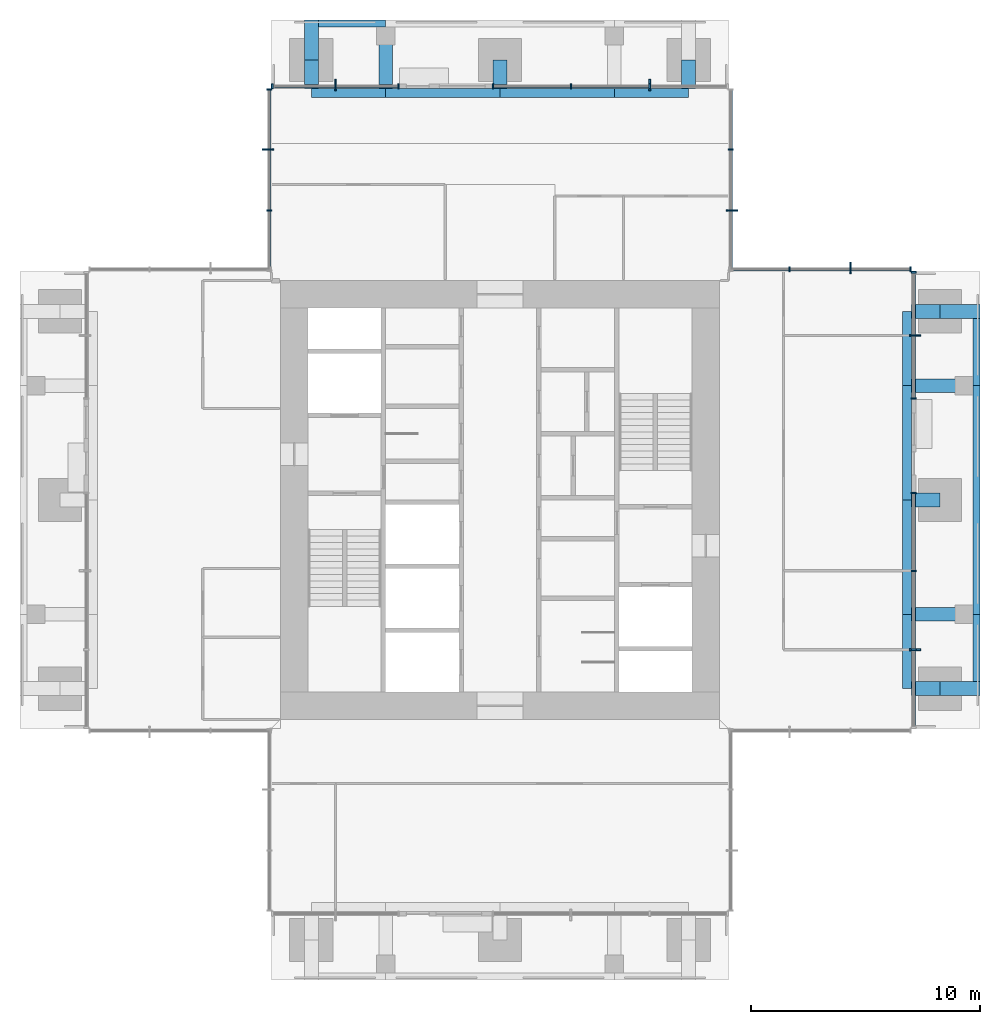
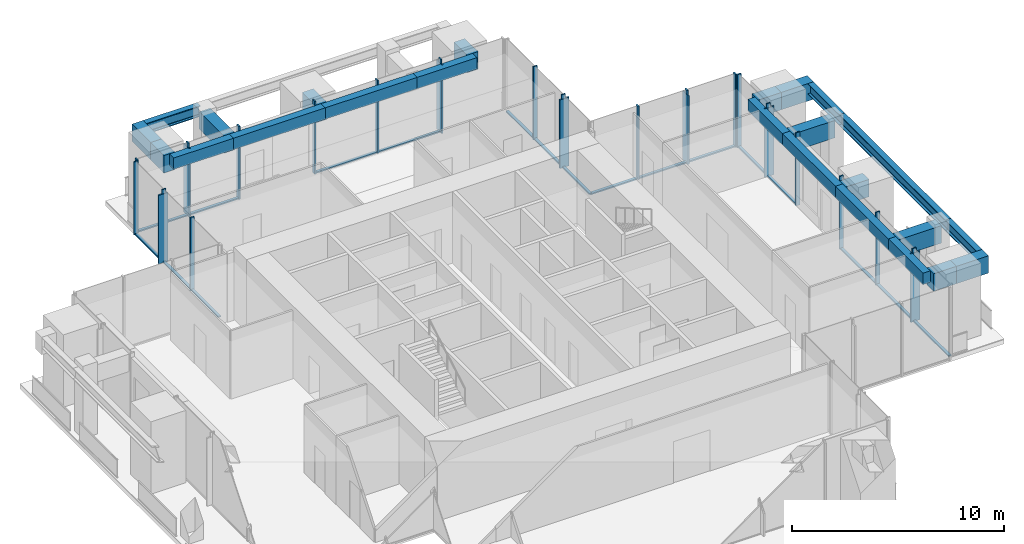
# One storey, part 4 of 12: 45 members, 24 beams, 7 elements without a shape of their own.
"""IFC4 building model written with IfcOpenShell, lengths in metres."""

from ifc_helpers import new_model, si_unit, direction, frame, origin, origin_2d, place, context, subcontext, project, spatial, rectangle, i_section, extrude, material, material_profile, profile_set, type_object, element, aggregate, save


model = new_model("IFC4")

# Units and contexts
model_context = context("Model", 3, precision=1e-05, world=origin(), true_north=direction((0.0, 1.0)))
body_context = subcontext(model_context, "Body", "Model", "MODEL_VIEW")
ifc_project = project(units=[si_unit("LENGTHUNIT", "METRE"), si_unit("AREAUNIT", "SQUARE_METRE"), si_unit("VOLUMEUNIT", "CUBIC_METRE"), si_unit("PLANEANGLEUNIT", "RADIAN"), si_unit("MASSUNIT", "GRAM", prefix="KILO")], contexts=[model_context])

# Site, building, storey
site_placement = place(None, origin())
site = spatial("IfcSite", under=ifc_project, at=site_placement, CompositionType="ELEMENT")
building_placement = place(site_placement, origin())
building = spatial("IfcBuilding", under=site, at=building_placement, Name="Svetlomir Tower", CompositionType="ELEMENT")
storey_placement = place(building_placement, frame((0.0, 0.0, 265.0)))
storey = spatial("IfcBuildingStorey", under=building, at=storey_placement, Name="L63", CompositionType="ELEMENT", Elevation=265.0)

# Curtain wall, member
ifc_material_1 = material(Name="Bronze anodised aluminium curtain wall", Category="aluminium")
curtain_wall_type = type_object("IfcCurtainWallType", Name="CURTAIN WALL CW4 EXECUTIVE", PredefinedType="NOTDEFINED", material=ifc_material_1)
curtain_wall_1_placement = place(storey_placement, origin())
curtain_wall_1 = element("IfcCurtainWall", 1, at=curtain_wall_1_placement, inside=storey, type_object=curtain_wall_type, Name="Curtain wall CW4 L63", PredefinedType="NOTDEFINED")
ifc_material_2 = material(Name="Bronze anodised aluminium", Category="aluminium")
ifc_material_profile_1 = material_profile(ifc_material_2, rectangle(XDim=0.080078125, YDim=0.5, at=origin_2d()), Name="FIN 80x500")
ifc_profile_set_1 = profile_set([ifc_material_profile_1], Name="Bronze anodised aluminium 6063-T6")
member_type_1 = type_object("IfcMemberType", Name="BRONZE FIN 80x500", PredefinedType="USERDEFINED", material=ifc_profile_set_1)
member_1_placement = place(storey_placement, frame((39.14990234375, 14.449951171875, 0.0), z_axis=(0.0, 0.0, 1.0), x_axis=(0.0, 1.0, 0.0)))
member_1 = element("IfcMember", 2, at=member_1_placement, type_object=member_type_1, Name="Bronze fin L63", ObjectType="FIN", PredefinedType="USERDEFINED", context=body_context, shape_type="SweptSolid", body=[
    extrude(rectangle(XDim=0.080078125, YDim=0.5, at=origin_2d()), origin(), (0.0, 0.0, 1.0), 3.949951171875),
])

curtain_wall_2_placement = place(storey_placement, origin())
curtain_wall_2 = element("IfcCurtainWall", 3, at=curtain_wall_2_placement, inside=storey, type_object=curtain_wall_type, Name="Curtain wall CW4 L63", PredefinedType="NOTDEFINED")
member_2_placement = place(storey_placement, frame((39.14990234375, 28.199951171875, 0.0), z_axis=(0.0, 0.0, 1.0), x_axis=(0.0, 1.0, 0.0)))
member_2 = element("IfcMember", 4, at=member_2_placement, type_object=member_type_1, Name="Bronze fin L63", ObjectType="FIN", PredefinedType="USERDEFINED", context=body_context, shape_type="SweptSolid", body=[
    extrude(rectangle(XDim=0.080078125, YDim=0.5, at=origin_2d()), origin(), (0.0, 0.0, 1.0), 3.949951171875),
])

curtain_wall_3_placement = place(storey_placement, origin())
curtain_wall_3 = element("IfcCurtainWall", 5, at=curtain_wall_3_placement, inside=storey, type_object=curtain_wall_type, Name="Curtain wall CW4 L63", PredefinedType="NOTDEFINED")
member_3_placement = place(storey_placement, frame((36.333251953125, 31.14990234375, 0.0), z_axis=(0.0, 0.0, 1.0), x_axis=(1.0, 0.0, 0.0)))
member_3 = element("IfcMember", 6, at=member_3_placement, type_object=member_type_1, Name="Bronze fin L63", ObjectType="FIN", PredefinedType="USERDEFINED", context=body_context, shape_type="SweptSolid", body=[
    extrude(rectangle(XDim=0.080078125, YDim=0.5, at=origin_2d()), origin(), (0.0, 0.0, 1.0), 3.949951171875),
])

curtain_wall_4_placement = place(storey_placement, origin())
curtain_wall_4 = element("IfcCurtainWall", 7, at=curtain_wall_4_placement, inside=storey, type_object=curtain_wall_type, Name="Curtain wall CW4 L63", PredefinedType="NOTDEFINED")
member_4_placement = place(storey_placement, frame((31.14990234375, 33.666748046875, 0.0), z_axis=(0.0, 0.0, 1.0), x_axis=(0.0, 1.0, 0.0)))
member_4 = element("IfcMember", 8, at=member_4_placement, type_object=member_type_1, Name="Bronze fin L63", ObjectType="FIN", PredefinedType="USERDEFINED", context=body_context, shape_type="SweptSolid", body=[
    extrude(rectangle(XDim=0.080078125, YDim=0.5, at=origin_2d()), origin(), (0.0, 0.0, 1.0), 3.949951171875),
])

curtain_wall_5_placement = place(storey_placement, origin())
curtain_wall_5 = element("IfcCurtainWall", 9, at=curtain_wall_5_placement, inside=storey, type_object=curtain_wall_type, Name="Curtain wall CW4 L63", PredefinedType="NOTDEFINED")
member_5_placement = place(storey_placement, frame((27.550048828125, 39.14990234375, 0.0), z_axis=(0.0, 0.0, 1.0), x_axis=(1.0, 0.0, 0.0)))
member_5 = element("IfcMember", 10, at=member_5_placement, type_object=member_type_1, Name="Bronze fin L63", ObjectType="FIN", PredefinedType="USERDEFINED", context=body_context, shape_type="SweptSolid", body=[
    extrude(rectangle(XDim=0.080078125, YDim=0.5, at=origin_2d()), origin(), (0.0, 0.0, 1.0), 3.949951171875),
])

curtain_wall_6_placement = place(storey_placement, origin())
curtain_wall_6 = element("IfcCurtainWall", 11, at=curtain_wall_6_placement, inside=storey, type_object=curtain_wall_type, Name="Curtain wall CW4 L63", PredefinedType="NOTDEFINED")
member_6_placement = place(storey_placement, frame((13.800048828125, 39.14990234375, 0.0), z_axis=(0.0, 0.0, 1.0), x_axis=(1.0, 0.0, 0.0)))
member_6 = element("IfcMember", 12, at=member_6_placement, type_object=member_type_1, Name="Bronze fin L63", ObjectType="FIN", PredefinedType="USERDEFINED", context=body_context, shape_type="SweptSolid", body=[
    extrude(rectangle(XDim=0.080078125, YDim=0.5, at=origin_2d()), origin(), (0.0, 0.0, 1.0), 3.949951171875),
])

curtain_wall_7_placement = place(storey_placement, origin())
curtain_wall_7 = element("IfcCurtainWall", 13, at=curtain_wall_7_placement, inside=storey, type_object=curtain_wall_type, Name="Curtain wall CW4 L63", PredefinedType="NOTDEFINED")
member_7_placement = place(storey_placement, frame((10.85009765625, 36.333251953125, 0.0), z_axis=(0.0, 0.0, 1.0), x_axis=(0.0, 1.0, 0.0)))
member_7 = element("IfcMember", 14, at=member_7_placement, type_object=member_type_1, Name="Bronze fin L63", ObjectType="FIN", PredefinedType="USERDEFINED", context=body_context, shape_type="SweptSolid", body=[
    extrude(rectangle(XDim=0.080078125, YDim=0.5, at=origin_2d()), origin(), (0.0, 0.0, 1.0), 3.949951171875),
])

# Member
ifc_material_3 = material(Name="Bronze anodised aluminium", Category="aluminium")
ifc_material_profile_2 = material_profile(ifc_material_3, rectangle(XDim=0.074951171875, YDim=0.219970703125, at=origin_2d()), Name="AL 75x220")
ifc_profile_set_2 = profile_set([ifc_material_profile_2], Name="Bronze anodised aluminium 6063-T6")
member_type_2 = type_object("IfcMemberType", Name="CW4 MULLION 75x220", PredefinedType="MULLION", material=ifc_profile_set_2)
member_8_placement = place(storey_placement, frame((39.10009765625, 14.449951171875, 0.0), z_axis=(0.0, 0.0, 1.0), x_axis=(0.0, 1.0, 0.0)))
member_8 = element("IfcMember", 15, at=member_8_placement, type_object=member_type_2, Name="CW4 mullion 2", PredefinedType="MULLION", context=body_context, shape_type="SweptSolid", body=[
    extrude(rectangle(XDim=0.074951171875, YDim=0.219970703125, at=origin_2d()), origin(), (0.0, 0.0, 1.0), 4.199951171875),
])

member_9_placement = place(storey_placement, frame((39.10009765625, 17.89990234375, 0.0), z_axis=(0.0, 0.0, 1.0), x_axis=(0.0, 1.0, 0.0)))
member_9 = element("IfcMember", 16, at=member_9_placement, type_object=member_type_2, Name="CW4 mullion 3", PredefinedType="MULLION", context=body_context, shape_type="SweptSolid", body=[
    extrude(rectangle(XDim=0.074951171875, YDim=0.219970703125, at=origin_2d()), origin(), (0.0, 0.0, 1.0), 4.199951171875),
])

member_10_placement = place(storey_placement, frame((39.10009765625, 21.3125, 0.0), z_axis=(0.0, 0.0, 1.0), x_axis=(0.0, 1.0, 0.0)))
member_10 = element("IfcMember", 17, at=member_10_placement, type_object=member_type_2, Name="CW4 mullion 4", PredefinedType="MULLION", context=body_context, shape_type="SweptSolid", body=[
    extrude(rectangle(XDim=0.074951171875, YDim=0.219970703125, at=origin_2d()), origin(), (0.0, 0.0, 1.0), 4.199951171875),
])

member_11_placement = place(storey_placement, frame((39.10009765625, 25.4375, 0.0), z_axis=(0.0, 0.0, 1.0), x_axis=(0.0, 1.0, 0.0)))
member_11 = element("IfcMember", 18, at=member_11_placement, type_object=member_type_2, Name="CW4 mullion 1", PredefinedType="MULLION", context=body_context, shape_type="SweptSolid", body=[
    extrude(rectangle(XDim=0.074951171875, YDim=0.219970703125, at=origin_2d()), origin(), (0.0, 0.0, 1.0), 4.199951171875),
])

member_12_placement = place(storey_placement, frame((39.10009765625, 28.199951171875, 0.0), z_axis=(0.0, 0.0, 1.0), x_axis=(0.0, 1.0, 0.0)))
member_12 = element("IfcMember", 19, at=member_12_placement, type_object=member_type_2, Name="CW4 mullion 2", PredefinedType="MULLION", context=body_context, shape_type="SweptSolid", body=[
    extrude(rectangle(XDim=0.074951171875, YDim=0.219970703125, at=origin_2d()), origin(), (0.0, 0.0, 1.0), 4.199951171875),
])

member_13_placement = place(storey_placement, frame((39.10009765625, 30.96240234375, 0.0), z_axis=(0.0, 0.0, 1.0), x_axis=(0.0, 1.0, 0.0)))
member_13 = element("IfcMember", 20, at=member_13_placement, type_object=member_type_2, Name="CW4 mullion 3", PredefinedType="MULLION", context=body_context, shape_type="SweptSolid", body=[
    extrude(rectangle(XDim=0.074951171875, YDim=0.219970703125, at=origin_2d()), origin(), (0.0, 0.0, 1.0), 4.199951171875),
])

member_14_placement = place(storey_placement, frame((38.96240234375, 31.10009765625, 0.0), z_axis=(0.0, 0.0, 1.0), x_axis=(-1.0, 0.0, 0.0)))
member_14 = element("IfcMember", 21, at=member_14_placement, type_object=member_type_2, Name="CW4 mullion 1", PredefinedType="MULLION", context=body_context, shape_type="SweptSolid", body=[
    extrude(rectangle(XDim=0.074951171875, YDim=0.219970703125, at=origin_2d()), origin(), (0.0, 0.0, 1.0), 4.199951171875),
])

member_15_placement = place(storey_placement, frame((36.333251953125, 31.10009765625, 0.0), z_axis=(0.0, 0.0, 1.0), x_axis=(-1.0, 0.0, 0.0)))
member_15 = element("IfcMember", 22, at=member_15_placement, type_object=member_type_2, Name="CW4 mullion 2", PredefinedType="MULLION", context=body_context, shape_type="SweptSolid", body=[
    extrude(rectangle(XDim=0.074951171875, YDim=0.219970703125, at=origin_2d()), origin(), (0.0, 0.0, 1.0), 4.199951171875),
])

member_16_placement = place(storey_placement, frame((33.666748046875, 31.10009765625, 0.0), z_axis=(0.0, 0.0, 1.0), x_axis=(-1.0, 0.0, 0.0)))
member_16 = element("IfcMember", 23, at=member_16_placement, type_object=member_type_2, Name="CW4 mullion 3", PredefinedType="MULLION", context=body_context, shape_type="SweptSolid", body=[
    extrude(rectangle(XDim=0.074951171875, YDim=0.219970703125, at=origin_2d()), origin(), (0.0, 0.0, 1.0), 4.199951171875),
])

member_17_placement = place(storey_placement, frame((31.10009765625, 33.666748046875, 0.0), z_axis=(0.0, 0.0, 1.0), x_axis=(0.0, 1.0, 0.0)))
member_17 = element("IfcMember", 24, at=member_17_placement, type_object=member_type_2, Name="CW4 mullion 2", PredefinedType="MULLION", context=body_context, shape_type="SweptSolid", body=[
    extrude(rectangle(XDim=0.074951171875, YDim=0.219970703125, at=origin_2d()), origin(), (0.0, 0.0, 1.0), 4.199951171875),
])

member_18_placement = place(storey_placement, frame((31.10009765625, 36.333251953125, 0.0), z_axis=(0.0, 0.0, 1.0), x_axis=(0.0, 1.0, 0.0)))
member_18 = element("IfcMember", 25, at=member_18_placement, type_object=member_type_2, Name="CW4 mullion 3", PredefinedType="MULLION", context=body_context, shape_type="SweptSolid", body=[
    extrude(rectangle(XDim=0.074951171875, YDim=0.219970703125, at=origin_2d()), origin(), (0.0, 0.0, 1.0), 4.199951171875),
])

member_19_placement = place(storey_placement, frame((27.550048828125, 39.10009765625, 0.0), z_axis=(0.0, 0.0, 1.0), x_axis=(-1.0, 0.0, 0.0)))
member_19 = element("IfcMember", 26, at=member_19_placement, type_object=member_type_2, Name="CW4 mullion 2", PredefinedType="MULLION", context=body_context, shape_type="SweptSolid", body=[
    extrude(rectangle(XDim=0.074951171875, YDim=0.219970703125, at=origin_2d()), origin(), (0.0, 0.0, 1.0), 4.199951171875),
])

member_20_placement = place(storey_placement, frame((24.10009765625, 39.10009765625, 0.0), z_axis=(0.0, 0.0, 1.0), x_axis=(-1.0, 0.0, 0.0)))
member_20 = element("IfcMember", 27, at=member_20_placement, type_object=member_type_2, Name="CW4 mullion 3", PredefinedType="MULLION", context=body_context, shape_type="SweptSolid", body=[
    extrude(rectangle(XDim=0.074951171875, YDim=0.219970703125, at=origin_2d()), origin(), (0.0, 0.0, 1.0), 4.199951171875),
])

member_21_placement = place(storey_placement, frame((20.6875, 39.10009765625, 0.0), z_axis=(0.0, 0.0, 1.0), x_axis=(-1.0, 0.0, 0.0)))
member_21 = element("IfcMember", 28, at=member_21_placement, type_object=member_type_2, Name="CW4 mullion 4", PredefinedType="MULLION", context=body_context, shape_type="SweptSolid", body=[
    extrude(rectangle(XDim=0.074951171875, YDim=0.219970703125, at=origin_2d()), origin(), (0.0, 0.0, 1.0), 4.199951171875),
])

member_22_placement = place(storey_placement, frame((16.5625, 39.10009765625, 0.0), z_axis=(0.0, 0.0, 1.0), x_axis=(-1.0, 0.0, 0.0)))
member_22 = element("IfcMember", 29, at=member_22_placement, type_object=member_type_2, Name="CW4 mullion 1", PredefinedType="MULLION", context=body_context, shape_type="SweptSolid", body=[
    extrude(rectangle(XDim=0.074951171875, YDim=0.219970703125, at=origin_2d()), origin(), (0.0, 0.0, 1.0), 4.199951171875),
])

member_23_placement = place(storey_placement, frame((13.800048828125, 39.10009765625, 0.0), z_axis=(0.0, 0.0, 1.0), x_axis=(-1.0, 0.0, 0.0)))
member_23 = element("IfcMember", 30, at=member_23_placement, type_object=member_type_2, Name="CW4 mullion 2", PredefinedType="MULLION", context=body_context, shape_type="SweptSolid", body=[
    extrude(rectangle(XDim=0.074951171875, YDim=0.219970703125, at=origin_2d()), origin(), (0.0, 0.0, 1.0), 4.199951171875),
])

member_24_placement = place(storey_placement, frame((11.03759765625, 39.10009765625, 0.0), z_axis=(0.0, 0.0, 1.0), x_axis=(-1.0, 0.0, 0.0)))
member_24 = element("IfcMember", 31, at=member_24_placement, type_object=member_type_2, Name="CW4 mullion 3", PredefinedType="MULLION", context=body_context, shape_type="SweptSolid", body=[
    extrude(rectangle(XDim=0.074951171875, YDim=0.219970703125, at=origin_2d()), origin(), (0.0, 0.0, 1.0), 4.199951171875),
])

member_25_placement = place(storey_placement, frame((10.89990234375, 38.96240234375, 0.0), z_axis=(0.0, 0.0, 1.0), x_axis=(0.0, -1.0, 0.0)))
member_25 = element("IfcMember", 32, at=member_25_placement, type_object=member_type_2, Name="CW4 mullion 1", PredefinedType="MULLION", context=body_context, shape_type="SweptSolid", body=[
    extrude(rectangle(XDim=0.074951171875, YDim=0.219970703125, at=origin_2d()), origin(), (0.0, 0.0, 1.0), 4.199951171875),
])

member_26_placement = place(storey_placement, frame((10.89990234375, 36.333251953125, 0.0), z_axis=(0.0, 0.0, 1.0), x_axis=(0.0, -1.0, 0.0)))
member_26 = element("IfcMember", 33, at=member_26_placement, type_object=member_type_2, Name="CW4 mullion 2", PredefinedType="MULLION", context=body_context, shape_type="SweptSolid", body=[
    extrude(rectangle(XDim=0.074951171875, YDim=0.219970703125, at=origin_2d()), origin(), (0.0, 0.0, 1.0), 4.199951171875),
])

member_27_placement = place(storey_placement, frame((10.89990234375, 33.666748046875, 0.0), z_axis=(0.0, 0.0, 1.0), x_axis=(0.0, -1.0, 0.0)))
member_27 = element("IfcMember", 34, at=member_27_placement, type_object=member_type_2, Name="CW4 mullion 3", PredefinedType="MULLION", context=body_context, shape_type="SweptSolid", body=[
    extrude(rectangle(XDim=0.074951171875, YDim=0.219970703125, at=origin_2d()), origin(), (0.0, 0.0, 1.0), 4.199951171875),
])

ifc_material_4 = material(Name="Bronze anodised aluminium", Category="aluminium")
ifc_material_profile_3 = material_profile(ifc_material_4, rectangle(XDim=0.14990234375, YDim=0.074951171875, at=origin_2d()), Name="AL 150x75")
ifc_profile_set_3 = profile_set([ifc_material_profile_3], Name="Bronze anodised aluminium 6063-T6")
member_type_3 = type_object("IfcMemberType", Name="CW4 TRANSOM 75x150", PredefinedType="USERDEFINED", material=ifc_profile_set_3)
member_28_placement = place(storey_placement, frame((39.10009765625, 11.074951171875, 0.03759765625), z_axis=(0.0, 1.0, 0.0), x_axis=(-1.0, 0.0, 0.0)))
member_28 = element("IfcMember", 35, at=member_28_placement, type_object=member_type_3, Name="CW4 transom 1.1", ObjectType="TRANSOM", PredefinedType="USERDEFINED", context=body_context, shape_type="SweptSolid", body=[
    extrude(rectangle(XDim=0.14990234375, YDim=0.074951171875, at=origin_2d()), origin(), (0.0, 0.0, 1.0), 3.337646484375),
])

member_29_placement = place(storey_placement, frame((39.10009765625, 14.487548828125, 0.03759765625), z_axis=(0.0, 1.0, 0.0), x_axis=(-1.0, 0.0, 0.0)))
member_29 = element("IfcMember", 36, at=member_29_placement, type_object=member_type_3, Name="CW4 transom 2.1", ObjectType="TRANSOM", PredefinedType="USERDEFINED", context=body_context, shape_type="SweptSolid", body=[
    extrude(rectangle(XDim=0.14990234375, YDim=0.074951171875, at=origin_2d()), origin(), (0.0, 0.0, 1.0), 3.375),
])

member_30_placement = place(storey_placement, frame((39.10009765625, 17.9375, 0.03759765625), z_axis=(0.0, 1.0, 0.0), x_axis=(-1.0, 0.0, 0.0)))
member_30 = element("IfcMember", 37, at=member_30_placement, type_object=member_type_3, Name="CW4 transom 3.1", ObjectType="TRANSOM", PredefinedType="USERDEFINED", context=body_context, shape_type="SweptSolid", body=[
    extrude(rectangle(XDim=0.14990234375, YDim=0.074951171875, at=origin_2d()), origin(), (0.0, 0.0, 1.0), 3.33740234375),
])

aggregate(curtain_wall_1, [member_8, member_9, member_10, member_28, member_29, member_30, member_1])

member_31_placement = place(storey_placement, frame((39.10009765625, 25.47509765625, 0.03759765625), z_axis=(0.0, 1.0, 0.0), x_axis=(-1.0, 0.0, 0.0)))
member_31 = element("IfcMember", 38, at=member_31_placement, type_object=member_type_3, Name="CW4 transom 1.1", ObjectType="TRANSOM", PredefinedType="USERDEFINED", context=body_context, shape_type="SweptSolid", body=[
    extrude(rectangle(XDim=0.14990234375, YDim=0.074951171875, at=origin_2d()), origin(), (0.0, 0.0, 1.0), 2.6875),
])

member_32_placement = place(storey_placement, frame((39.10009765625, 28.237548828125, 0.03759765625), z_axis=(0.0, 1.0, 0.0), x_axis=(-1.0, 0.0, 0.0)))
member_32 = element("IfcMember", 39, at=member_32_placement, type_object=member_type_3, Name="CW4 transom 2.1", ObjectType="TRANSOM", PredefinedType="USERDEFINED", context=body_context, shape_type="SweptSolid", body=[
    extrude(rectangle(XDim=0.14990234375, YDim=0.074951171875, at=origin_2d()), origin(), (0.0, 0.0, 1.0), 2.6875),
])

aggregate(curtain_wall_2, [member_11, member_12, member_13, member_31, member_32, member_2])

member_33_placement = place(storey_placement, frame((38.925048828125, 31.10009765625, 0.03759765625), z_axis=(-1.0, 0.0, 0.0), x_axis=(0.0, -1.0, 0.0)))
member_33 = element("IfcMember", 40, at=member_33_placement, type_object=member_type_3, Name="CW4 transom 1.1", ObjectType="TRANSOM", PredefinedType="USERDEFINED", context=body_context, shape_type="SweptSolid", body=[
    extrude(rectangle(XDim=0.14990234375, YDim=0.074951171875, at=origin_2d()), origin(), (0.0, 0.0, 1.0), 2.55419921875),
])

member_34_placement = place(storey_placement, frame((36.2958984375, 31.10009765625, 0.03759765625), z_axis=(-1.0, 0.0, 0.0), x_axis=(0.0, -1.0, 0.0)))
member_34 = element("IfcMember", 41, at=member_34_placement, type_object=member_type_3, Name="CW4 transom 2.1", ObjectType="TRANSOM", PredefinedType="USERDEFINED", context=body_context, shape_type="SweptSolid", body=[
    extrude(rectangle(XDim=0.14990234375, YDim=0.074951171875, at=origin_2d()), origin(), (0.0, 0.0, 1.0), 2.591796875),
])

member_35_placement = place(storey_placement, frame((33.629150390625, 31.10009765625, 0.03759765625), z_axis=(-1.0, 0.0, 0.0), x_axis=(0.0, -1.0, 0.0)))
member_35 = element("IfcMember", 42, at=member_35_placement, type_object=member_type_3, Name="CW4 transom 3.1", ObjectType="TRANSOM", PredefinedType="USERDEFINED", context=body_context, shape_type="SweptSolid", body=[
    extrude(rectangle(XDim=0.14990234375, YDim=0.074951171875, at=origin_2d()), origin(), (0.0, 0.0, 1.0), 2.55419921875),
])

aggregate(curtain_wall_3, [member_14, member_15, member_16, member_33, member_34, member_35, member_3])

member_36_placement = place(storey_placement, frame((31.10009765625, 31.074951171875, 0.03759765625), z_axis=(0.0, 1.0, 0.0), x_axis=(-1.0, 0.0, 0.0)))
member_36 = element("IfcMember", 43, at=member_36_placement, type_object=member_type_3, Name="CW4 transom 1.1", ObjectType="TRANSOM", PredefinedType="USERDEFINED", context=body_context, shape_type="SweptSolid", body=[
    extrude(rectangle(XDim=0.14990234375, YDim=0.074951171875, at=origin_2d()), origin(), (0.0, 0.0, 1.0), 2.55419921875),
])

member_37_placement = place(storey_placement, frame((31.10009765625, 33.7041015625, 0.03759765625), z_axis=(0.0, 1.0, 0.0), x_axis=(-1.0, 0.0, 0.0)))
member_37 = element("IfcMember", 44, at=member_37_placement, type_object=member_type_3, Name="CW4 transom 2.1", ObjectType="TRANSOM", PredefinedType="USERDEFINED", context=body_context, shape_type="SweptSolid", body=[
    extrude(rectangle(XDim=0.14990234375, YDim=0.074951171875, at=origin_2d()), origin(), (0.0, 0.0, 1.0), 2.591796875),
])

member_38_placement = place(storey_placement, frame((31.10009765625, 36.370849609375, 0.03759765625), z_axis=(0.0, 1.0, 0.0), x_axis=(-1.0, 0.0, 0.0)))
member_38 = element("IfcMember", 45, at=member_38_placement, type_object=member_type_3, Name="CW4 transom 3.1", ObjectType="TRANSOM", PredefinedType="USERDEFINED", context=body_context, shape_type="SweptSolid", body=[
    extrude(rectangle(XDim=0.14990234375, YDim=0.074951171875, at=origin_2d()), origin(), (0.0, 0.0, 1.0), 2.55419921875),
])

aggregate(curtain_wall_4, [member_17, member_18, member_36, member_37, member_38, member_4])

member_39_placement = place(storey_placement, frame((27.512451171875, 39.10009765625, 0.03759765625), z_axis=(-1.0, 0.0, 0.0), x_axis=(0.0, -1.0, 0.0)))
member_39 = element("IfcMember", 46, at=member_39_placement, type_object=member_type_3, Name="CW4 transom 2.1", ObjectType="TRANSOM", PredefinedType="USERDEFINED", context=body_context, shape_type="SweptSolid", body=[
    extrude(rectangle(XDim=0.14990234375, YDim=0.074951171875, at=origin_2d()), origin(), (0.0, 0.0, 1.0), 3.375),
])

member_40_placement = place(storey_placement, frame((24.0625, 39.10009765625, 0.03759765625), z_axis=(-1.0, 0.0, 0.0), x_axis=(0.0, -1.0, 0.0)))
member_40 = element("IfcMember", 47, at=member_40_placement, type_object=member_type_3, Name="CW4 transom 3.1", ObjectType="TRANSOM", PredefinedType="USERDEFINED", context=body_context, shape_type="SweptSolid", body=[
    extrude(rectangle(XDim=0.14990234375, YDim=0.074951171875, at=origin_2d()), origin(), (0.0, 0.0, 1.0), 3.33740234375),
])

aggregate(curtain_wall_5, [member_19, member_20, member_21, member_39, member_40, member_5])

member_41_placement = place(storey_placement, frame((16.52490234375, 39.10009765625, 0.03759765625), z_axis=(-1.0, 0.0, 0.0), x_axis=(0.0, -1.0, 0.0)))
member_41 = element("IfcMember", 48, at=member_41_placement, type_object=member_type_3, Name="CW4 transom 1.1", ObjectType="TRANSOM", PredefinedType="USERDEFINED", context=body_context, shape_type="SweptSolid", body=[
    extrude(rectangle(XDim=0.14990234375, YDim=0.074951171875, at=origin_2d()), origin(), (0.0, 0.0, 1.0), 2.6875),
])

member_42_placement = place(storey_placement, frame((13.762451171875, 39.10009765625, 0.03759765625), z_axis=(-1.0, 0.0, 0.0), x_axis=(0.0, -1.0, 0.0)))
member_42 = element("IfcMember", 49, at=member_42_placement, type_object=member_type_3, Name="CW4 transom 2.1", ObjectType="TRANSOM", PredefinedType="USERDEFINED", context=body_context, shape_type="SweptSolid", body=[
    extrude(rectangle(XDim=0.14990234375, YDim=0.074951171875, at=origin_2d()), origin(), (0.0, 0.0, 1.0), 2.6875),
])

aggregate(curtain_wall_6, [member_22, member_23, member_24, member_41, member_42, member_6])

member_43_placement = place(storey_placement, frame((10.89990234375, 38.925048828125, 0.03759765625), z_axis=(0.0, -1.0, 0.0), x_axis=(1.0, 0.0, 0.0)))
member_43 = element("IfcMember", 50, at=member_43_placement, type_object=member_type_3, Name="CW4 transom 1.1", ObjectType="TRANSOM", PredefinedType="USERDEFINED", context=body_context, shape_type="SweptSolid", body=[
    extrude(rectangle(XDim=0.14990234375, YDim=0.074951171875, at=origin_2d()), origin(), (0.0, 0.0, 1.0), 2.55419921875),
])

member_44_placement = place(storey_placement, frame((10.89990234375, 36.2958984375, 0.03759765625), z_axis=(0.0, -1.0, 0.0), x_axis=(1.0, 0.0, 0.0)))
member_44 = element("IfcMember", 51, at=member_44_placement, type_object=member_type_3, Name="CW4 transom 2.1", ObjectType="TRANSOM", PredefinedType="USERDEFINED", context=body_context, shape_type="SweptSolid", body=[
    extrude(rectangle(XDim=0.14990234375, YDim=0.074951171875, at=origin_2d()), origin(), (0.0, 0.0, 1.0), 2.591796875),
])

member_45_placement = place(storey_placement, frame((10.89990234375, 33.629150390625, 0.03759765625), z_axis=(0.0, -1.0, 0.0), x_axis=(1.0, 0.0, 0.0)))
member_45 = element("IfcMember", 52, at=member_45_placement, type_object=member_type_3, Name="CW4 transom 3.1", ObjectType="TRANSOM", PredefinedType="USERDEFINED", context=body_context, shape_type="SweptSolid", body=[
    extrude(rectangle(XDim=0.14990234375, YDim=0.074951171875, at=origin_2d()), origin(), (0.0, 0.0, 1.0), 2.55419921875),
])

aggregate(curtain_wall_7, [member_25, member_26, member_27, member_43, member_44, member_45, member_7])

# Beams
ifc_material_5 = material(Name="Steel S355", Category="steel")
ifc_material_profile_4 = material_profile(ifc_material_5, i_section(OverallWidth=0.304931640625, OverallDepth=0.6201171875, WebThickness=0.02099609375, FlangeThickness=0.0400390625, FilletRadius=0.027099609375, at=origin_2d()), Name="HEM 600")
ifc_profile_set_4 = profile_set([ifc_material_profile_4], Name="Steel S355")
beam_type_1 = type_object("IfcBeamType", Name="EDGE BEAM HEM 600", PredefinedType="SPANDREL", material=ifc_profile_set_4)
for number, where, z_axis, x_axis, name in (
    (53, (41.847412109375, 13.050048828125, 3.639892578125), (0.0, 1.0, 0.0), (-1.0, 0.0, 0.0), "Edge beam 42/11 to 42/16 under L64"),
    (54, (13.050048828125, 41.847412109375, 3.639892578125), (1.0, 0.0, 0.0), (0.0, 1.0, 0.0), "Edge beam 11/42 to 16/42 under L64"),
):
    element("IfcBeam", number, at=place(storey_placement, frame(where, z_axis=z_axis, x_axis=x_axis)), inside=storey, type_object=beam_type_1, Name=name, PredefinedType="SPANDREL", context=body_context, shape_type="SweptSolid", body=[
        extrude(i_section(OverallWidth=0.304931640625, OverallDepth=0.6201171875, WebThickness=0.02099609375, FlangeThickness=0.0400390625, FilletRadius=0.027099609375, at=origin_2d()), origin(), (0.0, 0.0, 1.0), 2.949951171875),
    ])
beam_1_placement = place(storey_placement, frame((41.847412109375, 16.0, 3.639892578125), z_axis=(0.0, 1.0, 0.0), x_axis=(-1.0, 0.0, 0.0)))
element("IfcBeam", 55, at=beam_1_placement, inside=storey, type_object=beam_type_1, Name="Edge beam 42/16 to 42/26 under L64", PredefinedType="SPANDREL", context=body_context, shape_type="SweptSolid", body=[
    extrude(i_section(OverallWidth=0.304931640625, OverallDepth=0.6201171875, WebThickness=0.02099609375, FlangeThickness=0.0400390625, FilletRadius=0.027099609375, at=origin_2d()), origin(), (0.0, 0.0, 1.0), 10.0),
])
beam_2_placement = place(storey_placement, frame((41.847412109375, 26.0, 3.639892578125), z_axis=(0.0, 1.0, 0.0), x_axis=(-1.0, 0.0, 0.0)))
element("IfcBeam", 56, at=beam_2_placement, inside=storey, type_object=beam_type_1, Name="Edge beam 42/26 to 42/31 under L64", PredefinedType="SPANDREL", context=body_context, shape_type="SweptSolid", body=[
    extrude(i_section(OverallWidth=0.304931640625, OverallDepth=0.6201171875, WebThickness=0.02099609375, FlangeThickness=0.0400390625, FilletRadius=0.027099609375, at=origin_2d()), origin(), (0.0, 0.0, 1.0), 2.949951171875),
])
ifc_material_6 = material(Name="Concrete C60/75", Category="concrete")
ifc_material_profile_5 = material_profile(ifc_material_6, rectangle(XDim=0.60009765625, YDim=1.0, at=origin_2d()), Name="RC 600x1000")
ifc_profile_set_5 = profile_set([ifc_material_profile_5], Name="Concrete C60/75")
beam_type_2 = type_object("IfcBeamType", Name="EDGE LINK BEAM RC 600x1000", PredefinedType="BEAM", material=ifc_profile_set_5)
for number, where, z_axis, x_axis, name in (
    (57, (12.75, 40.25, 3.449951171875), (0.0, 1.0, 0.0), (-1.0, 0.0, 0.0), "Edge link beam N 11/42 under L64"),
    (58, (40.25, 12.75, 3.449951171875), (1.0, 0.0, 0.0), (0.0, 1.0, 0.0), "Edge link beam E 42/11 under L64"),
    (59, (40.25, 29.25, 3.449951171875), (1.0, 0.0, 0.0), (0.0, 1.0, 0.0), "Edge link beam E 42/31 under L64"),
):
    element("IfcBeam", number, at=place(storey_placement, frame(where, z_axis=z_axis, x_axis=x_axis)), inside=storey, type_object=beam_type_2, Name=name, PredefinedType="BEAM", context=body_context, shape_type="SweptSolid", body=[
        extrude(rectangle(XDim=0.60009765625, YDim=1.0, at=origin_2d()), origin(), (0.0, 0.0, 1.0), 1.75),
    ])
ifc_material_7 = material(Name="Concrete C60/75", Category="concrete")
ifc_material_profile_6 = material_profile(ifc_material_7, rectangle(XDim=0.39990234375, YDim=0.64990234375, at=origin_2d()), Name="RC 400x650")
ifc_profile_set_6 = profile_set([ifc_material_profile_6], Name="Concrete C60/75")
beam_type_3 = type_object("IfcBeamType", Name="FACADE EDGE BEAM RC 400x650", PredefinedType="BEAM", material=ifc_profile_set_6)
beam_3_placement = place(storey_placement, frame((12.75, 38.800048828125, 3.625), z_axis=(1.0, 0.0, 0.0), x_axis=(0.0, 1.0, 0.0)))
element("IfcBeam", 60, at=beam_3_placement, inside=storey, type_object=beam_type_3, Name="Facade edge beam N 11 to 16 under L64", PredefinedType="BEAM", context=body_context, shape_type="SweptSolid", body=[
    extrude(rectangle(XDim=0.39990234375, YDim=0.64990234375, at=origin_2d()), origin(), (0.0, 0.0, 1.0), 3.25),
])
for number, where, z_axis, x_axis, name in (
    (61, (16.0, 38.800048828125, 3.625), (1.0, 0.0, 0.0), (0.0, 1.0, 0.0), "Facade edge beam N 16 to 21 under L64"),
    (62, (21.0, 38.800048828125, 3.625), (1.0, 0.0, 0.0), (0.0, 1.0, 0.0), "Facade edge beam N 21 to 26 under L64"),
):
    element("IfcBeam", number, at=place(storey_placement, frame(where, z_axis=z_axis, x_axis=x_axis)), inside=storey, type_object=beam_type_3, Name=name, PredefinedType="BEAM", context=body_context, shape_type="SweptSolid", body=[
        extrude(rectangle(XDim=0.39990234375, YDim=0.64990234375, at=origin_2d()), origin(), (0.0, 0.0, 1.0), 5.0),
    ])
for number, where, z_axis, x_axis, name in (
    (63, (26.0, 38.800048828125, 3.625), (1.0, 0.0, 0.0), (0.0, 1.0, 0.0), "Facade edge beam N 26 to 31 under L64"),
    (64, (38.800048828125, 12.75, 3.625), (0.0, 1.0, 0.0), (-1.0, 0.0, 0.0), "Facade edge beam E 11 to 16 under L64"),
):
    element("IfcBeam", number, at=place(storey_placement, frame(where, z_axis=z_axis, x_axis=x_axis)), inside=storey, type_object=beam_type_3, Name=name, PredefinedType="BEAM", context=body_context, shape_type="SweptSolid", body=[
        extrude(rectangle(XDim=0.39990234375, YDim=0.64990234375, at=origin_2d()), origin(), (0.0, 0.0, 1.0), 3.25),
    ])
for number, where, z_axis, x_axis, name in (
    (65, (38.800048828125, 16.0, 3.625), (0.0, 1.0, 0.0), (-1.0, 0.0, 0.0), "Facade edge beam E 16 to 21 under L64"),
    (66, (38.800048828125, 21.0, 3.625), (0.0, 1.0, 0.0), (-1.0, 0.0, 0.0), "Facade edge beam E 21 to 26 under L64"),
):
    element("IfcBeam", number, at=place(storey_placement, frame(where, z_axis=z_axis, x_axis=x_axis)), inside=storey, type_object=beam_type_3, Name=name, PredefinedType="BEAM", context=body_context, shape_type="SweptSolid", body=[
        extrude(rectangle(XDim=0.39990234375, YDim=0.64990234375, at=origin_2d()), origin(), (0.0, 0.0, 1.0), 5.0),
    ])
beam_4_placement = place(storey_placement, frame((38.800048828125, 26.0, 3.625), z_axis=(0.0, 1.0, 0.0), x_axis=(-1.0, 0.0, 0.0)))
element("IfcBeam", 67, at=beam_4_placement, inside=storey, type_object=beam_type_3, Name="Facade edge beam E 26 to 31 under L64", PredefinedType="BEAM", context=body_context, shape_type="SweptSolid", body=[
    extrude(rectangle(XDim=0.39990234375, YDim=0.64990234375, at=origin_2d()), origin(), (0.0, 0.0, 1.0), 3.25),
])
ifc_material_8 = material(Name="Concrete C60/75", Category="concrete")
ifc_material_profile_7 = material_profile(ifc_material_8, rectangle(XDim=0.60009765625, YDim=1.0, at=origin_2d()), Name="RC 600x1000")
ifc_profile_set_7 = profile_set([ifc_material_profile_7], Name="Concrete C60/75")
beam_type_4 = type_object("IfcBeamType", Name="LOGGIA LINK BEAM RC 600x1000", PredefinedType="BEAM", material=ifc_profile_set_7)
beam_5_placement = place(storey_placement, frame((12.75, 40.25, 3.449951171875), z_axis=(0.0, -1.0, 0.0), x_axis=(1.0, 0.0, 0.0)))
element("IfcBeam", 68, at=beam_5_placement, inside=storey, type_object=beam_type_4, Name="Loggia link beam N 11 under L64", PredefinedType="BEAM", context=body_context, shape_type="SweptSolid", body=[
    extrude(rectangle(XDim=0.60009765625, YDim=1.0, at=origin_2d()), origin(), (0.0, 0.0, 1.0), 1.25),
])
beam_6_placement = place(storey_placement, frame((16.0, 41.300048828125, 3.449951171875), z_axis=(0.0, -1.0, 0.0), x_axis=(1.0, 0.0, 0.0)))
element("IfcBeam", 69, at=beam_6_placement, inside=storey, type_object=beam_type_4, Name="Loggia link beam N 16 under L64", PredefinedType="BEAM", context=body_context, shape_type="SweptSolid", body=[
    extrude(rectangle(XDim=0.60009765625, YDim=1.0, at=origin_2d()), origin(), (0.0, 0.0, 1.0), 2.300048828125),
])
for number, where, z_axis, x_axis, name in (
    (70, (21.0, 40.25, 3.449951171875), (0.0, -1.0, 0.0), (1.0, 0.0, 0.0), "Loggia link beam N 21 under L64"),
    (71, (29.25, 40.25, 3.449951171875), (0.0, -1.0, 0.0), (1.0, 0.0, 0.0), "Loggia link beam N 31 under L64"),
    (72, (40.25, 12.75, 3.449951171875), (-1.0, 0.0, 0.0), (0.0, -1.0, 0.0), "Loggia link beam E 11 under L64"),
):
    element("IfcBeam", number, at=place(storey_placement, frame(where, z_axis=z_axis, x_axis=x_axis)), inside=storey, type_object=beam_type_4, Name=name, PredefinedType="BEAM", context=body_context, shape_type="SweptSolid", body=[
        extrude(rectangle(XDim=0.60009765625, YDim=1.0, at=origin_2d()), origin(), (0.0, 0.0, 1.0), 1.25),
    ])
beam_7_placement = place(storey_placement, frame((41.300048828125, 16.0, 3.449951171875), z_axis=(-1.0, 0.0, 0.0), x_axis=(0.0, -1.0, 0.0)))
element("IfcBeam", 73, at=beam_7_placement, inside=storey, type_object=beam_type_4, Name="Loggia link beam E 16 under L64", PredefinedType="BEAM", context=body_context, shape_type="SweptSolid", body=[
    extrude(rectangle(XDim=0.60009765625, YDim=1.0, at=origin_2d()), origin(), (0.0, 0.0, 1.0), 2.300048828125),
])
beam_8_placement = place(storey_placement, frame((40.25, 21.0, 3.449951171875), z_axis=(-1.0, 0.0, 0.0), x_axis=(0.0, -1.0, 0.0)))
element("IfcBeam", 74, at=beam_8_placement, inside=storey, type_object=beam_type_4, Name="Loggia link beam E 21 under L64", PredefinedType="BEAM", context=body_context, shape_type="SweptSolid", body=[
    extrude(rectangle(XDim=0.60009765625, YDim=1.0, at=origin_2d()), origin(), (0.0, 0.0, 1.0), 1.25),
])
beam_9_placement = place(storey_placement, frame((41.300048828125, 26.0, 3.449951171875), z_axis=(-1.0, 0.0, 0.0), x_axis=(0.0, -1.0, 0.0)))
element("IfcBeam", 75, at=beam_9_placement, inside=storey, type_object=beam_type_4, Name="Loggia link beam E 26 under L64", PredefinedType="BEAM", context=body_context, shape_type="SweptSolid", body=[
    extrude(rectangle(XDim=0.60009765625, YDim=1.0, at=origin_2d()), origin(), (0.0, 0.0, 1.0), 2.300048828125),
])
beam_10_placement = place(storey_placement, frame((40.25, 29.25, 3.449951171875), z_axis=(-1.0, 0.0, 0.0), x_axis=(0.0, -1.0, 0.0)))
element("IfcBeam", 76, at=beam_10_placement, inside=storey, type_object=beam_type_4, Name="Loggia link beam E 31 under L64", PredefinedType="BEAM", context=body_context, shape_type="SweptSolid", body=[
    extrude(rectangle(XDim=0.60009765625, YDim=1.0, at=origin_2d()), origin(), (0.0, 0.0, 1.0), 1.25),
])

save(model, "model.ifc")
